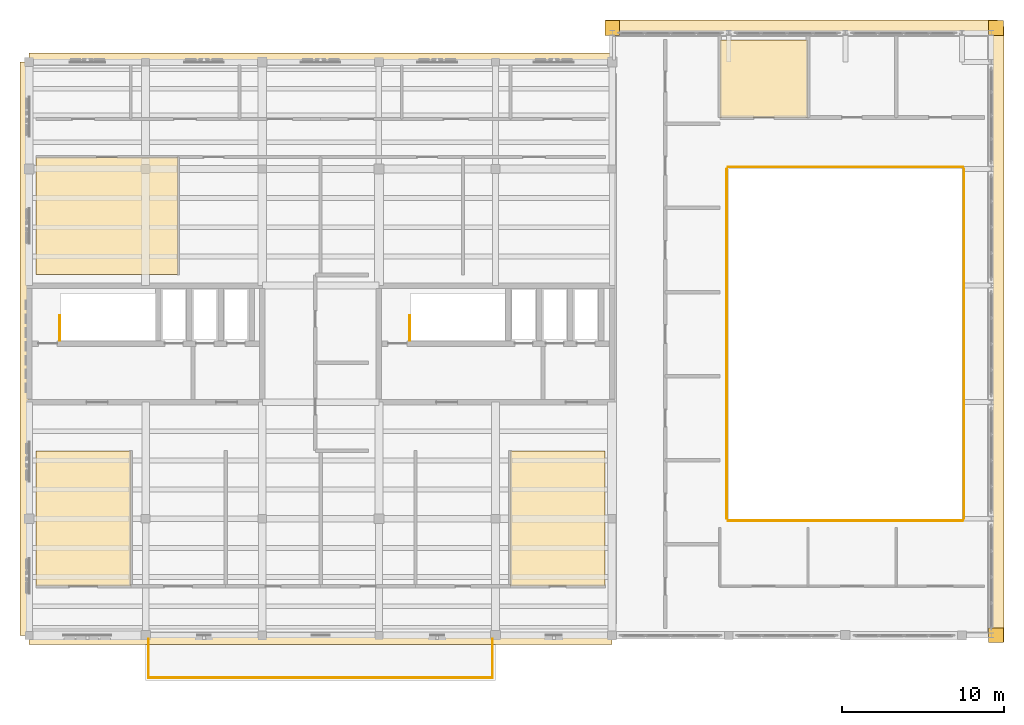
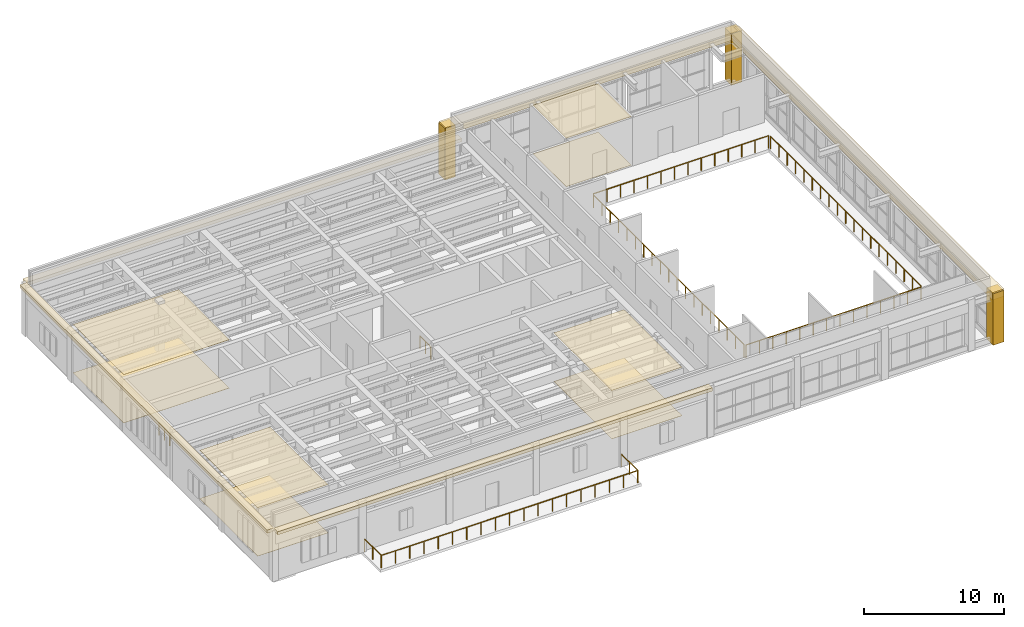
# One storey, part 18 of 18: 16 coverings, 9 railings.
"""IFC4 building model written with IfcOpenShell, lengths in metres."""

from ifc_helpers import new_model, si_unit, direction, frame, origin, origin_2d, place, context, subcontext, project, spatial, polyline, rectangle, circle, outline, extrude, material, layer, layer_set, type_object, element, save


model = new_model("IFC4")

# Units and contexts
model_context = context("Model", 3, precision=1e-05, world=origin(), true_north=direction((0.0, 1.0)))
body_context = subcontext(model_context, "Body", "Model", "MODEL_VIEW")
ifc_project = project(units=[si_unit("LENGTHUNIT", "METRE"), si_unit("AREAUNIT", "SQUARE_METRE"), si_unit("VOLUMEUNIT", "CUBIC_METRE"), si_unit("PLANEANGLEUNIT", "RADIAN"), si_unit("MASSUNIT", "GRAM", prefix="KILO")], contexts=[model_context])

# Site, building, storey
site_placement = place(None, origin())
site = spatial("IfcSite", under=ifc_project, at=site_placement, CompositionType="ELEMENT")
building_placement = place(site_placement, origin())
building = spatial("IfcBuilding", under=site, at=building_placement, Name="Mithqara Police Headquarters", CompositionType="ELEMENT")
storey_placement = place(building_placement, frame((0.0, 0.0, 30.89990234375)))
storey = spatial("IfcBuildingStorey", under=building, at=storey_placement, Name="L07", CompositionType="ELEMENT", Elevation=30.89990234375)

# Coverings
ifc_material_1 = material(Name="Acoustic mineral-fibre ceiling tile", Category="gypsum")
ifc_layer_1 = layer(ifc_material_1, 0.02490234375, Name="Acoustic mineral-fibre ceiling tile")
ifc_layer_set_1 = layer_set([ifc_layer_1], Name="Acoustic mineral-fibre ceiling tile")
covering_type_1 = type_object("IfcCoveringType", Name="ACOUSTIC CEILING TILE", PredefinedType="CEILING", material=ifc_layer_set_1)
covering_1_placement = place(storey_placement, frame((0.0, 0.0, 4.22509765625)))
element("IfcCovering", 1, at=covering_1_placement, inside=storey, type_object=covering_type_1, Name="Interagency Situation Room Acoustic Ceiling", PredefinedType="CEILING", context=body_context, shape_type="SweptSolid", body=[
    extrude(outline(polyline([(109.0400390625, 100.8701171875), (117.7900390625, 100.8701171875), (117.7900390625, 108.1201171875), (109.0400390625, 108.1201171875), (109.0400390625, 100.8701171875)])), origin(), (0.0, 0.0, 1.0), 0.02490234375),
])
covering_2_placement = place(storey_placement, frame((0.0, 0.0, 4.22509765625)))
element("IfcCovering", 2, at=covering_2_placement, inside=storey, type_object=covering_type_1, Name="Interagency Situation Room Acoustic Ceiling", PredefinedType="CEILING", context=body_context, shape_type="SweptSolid", body=[
    extrude(outline(polyline([(109.0400390625, 81.659912109375), (114.860107421875, 81.659912109375), (114.860107421875, 89.97998046875), (109.0400390625, 89.97998046875), (109.0400390625, 81.659912109375)])), origin(), (0.0, 0.0, 1.0), 0.02490234375),
])
covering_3_placement = place(storey_placement, frame((0.0, 0.0, 4.22509765625)))
element("IfcCovering", 3, at=covering_3_placement, inside=storey, type_object=covering_type_1, Name="Interagency Situation Room Acoustic Ceiling", PredefinedType="CEILING", context=body_context, shape_type="SweptSolid", body=[
    extrude(outline(polyline([(138.340087890625, 81.659912109375), (144.159912109375, 81.659912109375), (144.159912109375, 89.97998046875), (138.340087890625, 89.97998046875), (138.340087890625, 81.659912109375)])), origin(), (0.0, 0.0, 1.0), 0.02490234375),
])
covering_4_placement = place(storey_placement, frame((0.0, 0.0, 4.22509765625)))
element("IfcCovering", 4, at=covering_4_placement, inside=storey, type_object=covering_type_1, Name="Command Viewing Gallery Acoustic Ceiling", PredefinedType="CEILING", context=body_context, shape_type="SweptSolid", body=[
    extrude(outline(polyline([(151.27001953125, 110.590087890625), (156.673095703125, 110.590087890625), (156.673095703125, 115.360107421875), (151.27001953125, 115.360107421875), (151.27001953125, 110.590087890625)])), origin(), (0.0, 0.0, 1.0), 0.02490234375),
])
ifc_material_2 = material(Name="Limestone ashlar masonry, 45 MPa", Category="masonry")
ifc_layer_2 = layer(ifc_material_2, 0.320068359375, Name="Limestone ashlar masonry, 45 MPa")
ifc_layer_set_2 = layer_set([ifc_layer_2], Name="Limestone ashlar masonry, 45 MPa")
covering_type_2 = type_object("IfcCoveringType", Name="CORNICE LIMESTONE", PredefinedType="CLADDING", material=ifc_layer_set_2)
covering_5_placement = place(storey_placement, frame((168.320068359375, 97.199951171875, 3.925048828125), z_axis=(0.0, 0.0, 1.0), x_axis=(1.0, 0.0, 0.0)))
element("IfcCovering", 5, at=covering_5_placement, inside=storey, type_object=covering_type_2, Name="Command Cube Deep Box Frame East TOP", PredefinedType="CLADDING", context=body_context, shape_type="SweptSolid", body=[
    extrude(rectangle(XDim=0.949951171875, YDim=38.0, at=origin_2d()), origin(), (0.0, 0.0, 1.0), 0.64990234375),
])
covering_6_placement = place(storey_placement, frame((156.300048828125, 116.1201171875, 3.925048828125), z_axis=(0.0, 0.0, 1.0), x_axis=(1.0, 0.0, 0.0)))
element("IfcCovering", 6, at=covering_6_placement, inside=storey, type_object=covering_type_2, Name="Command Cube Deep Box Frame North TOP", PredefinedType="CLADDING", context=body_context, shape_type="SweptSolid", body=[
    extrude(rectangle(XDim=24.199951171875, YDim=0.949951171875, at=origin_2d()), origin(), (0.0, 0.0, 1.0), 0.64990234375),
])
for number, where, z_axis, x_axis, name in (
    (7, (168.300048828125, 78.60009765625, 0.0), (0.0, 0.0, 1.0), (1.0, 0.0, 0.0), "L07 Command Cube Deep Corner Frame SE"),
    (8, (168.300048828125, 116.10009765625, 0.0), (0.0, 0.0, 1.0), (1.0, 0.0, 0.0), "L07 Command Cube Deep Corner Frame NE"),
    (9, (144.60009765625, 116.10009765625, 0.0), (0.0, 0.0, 1.0), (1.0, 0.0, 0.0), "L07 Command Cube Deep Corner Frame NW"),
):
    element("IfcCovering", number, at=place(storey_placement, frame(where, z_axis=z_axis, x_axis=x_axis)), inside=storey, type_object=covering_type_2, Name=name, PredefinedType="CLADDING", context=body_context, shape_type="SweptSolid", body=[
        extrude(rectangle(XDim=0.89990234375, YDim=0.89990234375, at=origin_2d()), origin(), (0.0, 0.0, 1.0), 4.5),
    ])
for number, where, z_axis, x_axis, name in (
    (10, (126.60009765625, 78.320068359375, 4.22021484375), (0.0, 0.0, 1.0), (1.0, 0.0, 0.0), "L07 Projecting Ottoman Limestone Eaves Cornice 1"),
    (11, (126.60009765625, 114.280029296875, 4.22021484375), (0.0, 0.0, 1.0), (1.0, 0.0, 0.0), "L07 Projecting Ottoman Limestone Eaves Cornice 2"),
):
    element("IfcCovering", number, at=place(storey_placement, frame(where, z_axis=z_axis, x_axis=x_axis)), inside=storey, type_object=covering_type_2, Name=name, PredefinedType="CLADDING", context=body_context, shape_type="SweptSolid", body=[
        extrude(rectangle(XDim=36.0, YDim=0.56005859375, at=origin_2d()), origin(), (0.0, 0.0, 1.0), 0.280029296875),
    ])
covering_7_placement = place(storey_placement, frame((108.320068359375, 96.300048828125, 4.22021484375), z_axis=(0.0, 0.0, 1.0), x_axis=(0.0, 1.0, 0.0)))
element("IfcCovering", 12, at=covering_7_placement, inside=storey, type_object=covering_type_2, Name="L07 Projecting Ottoman Limestone Eaves Cornice 3", PredefinedType="CLADDING", context=body_context, shape_type="SweptSolid", body=[
    extrude(rectangle(XDim=35.39990234375, YDim=0.56005859375, at=origin_2d()), origin(), (0.0, 0.0, 1.0), 0.280029296875),
])

# Railings
ifc_material_3 = material(Name="Bronze anodised aluminium 6063-T6", Category="aluminium")
railing_type_1 = type_object("IfcRailingType", Name="GUARD BALUSTRADE1120", PredefinedType="BALUSTRADE", material=ifc_material_3)
railing_1_placement = place(storey_placement, frame((115.97998046875, 75.97998046875, 0.0)))
element("IfcRailing", 13, at=railing_1_placement, inside=storey, type_object=railing_type_1, Name="L07 Terrace Balustrade TER-L07-S-S", PredefinedType="BALUSTRADE", context=body_context, shape_type="SweptSolid", body=[
    extrude(circle(Radius=0.02392578125, at=origin_2d()), frame((0.0, 0.0, 1.09619140625), z_axis=(1.0, 0.0, 0.0), x_axis=(0.0, 1.0, 0.0)), (0.0, 0.0, 1.0), 21.239990234375),
    extrude(circle(Radius=0.02099609375, at=origin_2d()), origin(), (0.0, 0.0, 1.0), 1.072021484375),
    extrude(circle(Radius=0.02099609375, at=origin_2d()), frame((1.179931640625, 0.0, 0.0)), (0.0, 0.0, 1.0), 1.072021484375),
    extrude(circle(Radius=0.02099609375, at=origin_2d()), frame((2.360107421875, 0.0, 0.0)), (0.0, 0.0, 1.0), 1.072021484375),
    extrude(circle(Radius=0.02099609375, at=origin_2d()), frame((3.5400390625, 0.0, 0.0)), (0.0, 0.0, 1.0), 1.072021484375),
    extrude(circle(Radius=0.02099609375, at=origin_2d()), frame((4.719970703125, 0.0, 0.0)), (0.0, 0.0, 1.0), 1.072021484375),
    extrude(circle(Radius=0.02099609375, at=origin_2d()), frame((5.89990234375, 0.0, 0.0)), (0.0, 0.0, 1.0), 1.072021484375),
    extrude(circle(Radius=0.02099609375, at=origin_2d()), frame((7.080078125, 0.0, 0.0)), (0.0, 0.0, 1.0), 1.072021484375),
    extrude(circle(Radius=0.02099609375, at=origin_2d()), frame((8.260009765625, 0.0, 0.0)), (0.0, 0.0, 1.0), 1.072021484375),
    extrude(circle(Radius=0.02099609375, at=origin_2d()), frame((9.43994140625, 0.0, 0.0)), (0.0, 0.0, 1.0), 1.072021484375),
    extrude(circle(Radius=0.02099609375, at=origin_2d()), frame((10.6201171875, 0.0, 0.0)), (0.0, 0.0, 1.0), 1.072021484375),
    extrude(circle(Radius=0.02099609375, at=origin_2d()), frame((11.800048828125, 0.0, 0.0)), (0.0, 0.0, 1.0), 1.072021484375),
    extrude(circle(Radius=0.02099609375, at=origin_2d()), frame((12.97998046875, 0.0, 0.0)), (0.0, 0.0, 1.0), 1.072021484375),
    extrude(circle(Radius=0.02099609375, at=origin_2d()), frame((14.159912109375, 0.0, 0.0)), (0.0, 0.0, 1.0), 1.072021484375),
    extrude(circle(Radius=0.02099609375, at=origin_2d()), frame((15.340087890625, 0.0, 0.0)), (0.0, 0.0, 1.0), 1.072021484375),
    extrude(circle(Radius=0.02099609375, at=origin_2d()), frame((16.52001953125, 0.0, 0.0)), (0.0, 0.0, 1.0), 1.072021484375),
    extrude(circle(Radius=0.02099609375, at=origin_2d()), frame((17.699951171875, 0.0, 0.0)), (0.0, 0.0, 1.0), 1.072021484375),
    extrude(circle(Radius=0.02099609375, at=origin_2d()), frame((18.8798828125, 0.0, 0.0)), (0.0, 0.0, 1.0), 1.072021484375),
    extrude(circle(Radius=0.02099609375, at=origin_2d()), frame((20.06005859375, 0.0, 0.0)), (0.0, 0.0, 1.0), 1.072021484375),
    extrude(circle(Radius=0.02099609375, at=origin_2d()), frame((21.239990234375, 0.0, 0.0)), (0.0, 0.0, 1.0), 1.072021484375),
])
for number, where, name in (
    (14, (115.97998046875, 76.0400390625, 0.0), "L07 Terrace Balustrade TER-L07-S-W"),
    (15, (137.219970703125, 76.0400390625, 0.0), "L07 Terrace Balustrade TER-L07-S-E"),
):
    element("IfcRailing", number, at=place(storey_placement, frame(where)), inside=storey, type_object=railing_type_1, Name=name, PredefinedType="BALUSTRADE", context=body_context, shape_type="SweptSolid", body=[
        extrude(circle(Radius=0.02392578125, at=origin_2d()), frame((0.0, 0.0, 1.09619140625), z_axis=(0.0, 1.0, 0.0), x_axis=(-1.0, 0.0, 0.0)), (0.0, 0.0, 1.0), 2.320068359375),
        extrude(circle(Radius=0.02099609375, at=origin_2d()), origin(), (0.0, 0.0, 1.0), 1.072021484375),
        extrude(circle(Radius=0.02099609375, at=origin_2d()), frame((0.0, 1.16015625, 0.0)), (0.0, 0.0, 1.0), 1.072021484375),
        extrude(circle(Radius=0.02099609375, at=origin_2d()), frame((0.0, 2.320068359375, 0.0)), (0.0, 0.0, 1.0), 1.072021484375),
    ])
railing_2_placement = place(storey_placement, frame((151.75, 85.679931640625, 0.0)))
element("IfcRailing", 16, at=railing_2_placement, inside=storey, type_object=railing_type_1, Name="L07 Gallery Void Balustrade VOID-L07-CMD-S", PredefinedType="BALUSTRADE", context=body_context, shape_type="SweptSolid", body=[
    extrude(circle(Radius=0.02392578125, at=origin_2d()), frame((0.0, 0.0, 1.09619140625), z_axis=(1.0, 0.0, 0.0), x_axis=(0.0, 1.0, 0.0)), (0.0, 0.0, 1.0), 14.5),
    extrude(circle(Radius=0.02099609375, at=origin_2d()), origin(), (0.0, 0.0, 1.0), 1.072021484375),
    extrude(circle(Radius=0.02099609375, at=origin_2d()), frame((1.115478515625, 0.0, 0.0)), (0.0, 0.0, 1.0), 1.072021484375),
    extrude(circle(Radius=0.02099609375, at=origin_2d()), frame((2.230712890625, 0.0, 0.0)), (0.0, 0.0, 1.0), 1.072021484375),
    extrude(circle(Radius=0.02099609375, at=origin_2d()), frame((3.34619140625, 0.0, 0.0)), (0.0, 0.0, 1.0), 1.072021484375),
    extrude(circle(Radius=0.02099609375, at=origin_2d()), frame((4.46142578125, 0.0, 0.0)), (0.0, 0.0, 1.0), 1.072021484375),
    extrude(circle(Radius=0.02099609375, at=origin_2d()), frame((5.576904296875, 0.0, 0.0)), (0.0, 0.0, 1.0), 1.072021484375),
    extrude(circle(Radius=0.02099609375, at=origin_2d()), frame((6.6923828125, 0.0, 0.0)), (0.0, 0.0, 1.0), 1.072021484375),
    extrude(circle(Radius=0.02099609375, at=origin_2d()), frame((7.8076171875, 0.0, 0.0)), (0.0, 0.0, 1.0), 1.072021484375),
    extrude(circle(Radius=0.02099609375, at=origin_2d()), frame((8.923095703125, 0.0, 0.0)), (0.0, 0.0, 1.0), 1.072021484375),
    extrude(circle(Radius=0.02099609375, at=origin_2d()), frame((10.03857421875, 0.0, 0.0)), (0.0, 0.0, 1.0), 1.072021484375),
    extrude(circle(Radius=0.02099609375, at=origin_2d()), frame((11.15380859375, 0.0, 0.0)), (0.0, 0.0, 1.0), 1.072021484375),
    extrude(circle(Radius=0.02099609375, at=origin_2d()), frame((12.269287109375, 0.0, 0.0)), (0.0, 0.0, 1.0), 1.072021484375),
    extrude(circle(Radius=0.02099609375, at=origin_2d()), frame((13.384521484375, 0.0, 0.0)), (0.0, 0.0, 1.0), 1.072021484375),
    extrude(circle(Radius=0.02099609375, at=origin_2d()), frame((14.5, 0.0, 0.0)), (0.0, 0.0, 1.0), 1.072021484375),
])
railing_3_placement = place(storey_placement, frame((151.75, 107.52001953125, 0.0)))
element("IfcRailing", 17, at=railing_3_placement, inside=storey, type_object=railing_type_1, Name="L07 Gallery Void Balustrade VOID-L07-CMD-N", PredefinedType="BALUSTRADE", context=body_context, shape_type="SweptSolid", body=[
    extrude(circle(Radius=0.02392578125, at=origin_2d()), frame((0.0, 0.0, 1.09619140625), z_axis=(1.0, 0.0, 0.0), x_axis=(0.0, 1.0, 0.0)), (0.0, 0.0, 1.0), 14.5),
    extrude(circle(Radius=0.02099609375, at=origin_2d()), origin(), (0.0, 0.0, 1.0), 1.072021484375),
    extrude(circle(Radius=0.02099609375, at=origin_2d()), frame((1.115478515625, 0.0, 0.0)), (0.0, 0.0, 1.0), 1.072021484375),
    extrude(circle(Radius=0.02099609375, at=origin_2d()), frame((2.230712890625, 0.0, 0.0)), (0.0, 0.0, 1.0), 1.072021484375),
    extrude(circle(Radius=0.02099609375, at=origin_2d()), frame((3.34619140625, 0.0, 0.0)), (0.0, 0.0, 1.0), 1.072021484375),
    extrude(circle(Radius=0.02099609375, at=origin_2d()), frame((4.46142578125, 0.0, 0.0)), (0.0, 0.0, 1.0), 1.072021484375),
    extrude(circle(Radius=0.02099609375, at=origin_2d()), frame((5.576904296875, 0.0, 0.0)), (0.0, 0.0, 1.0), 1.072021484375),
    extrude(circle(Radius=0.02099609375, at=origin_2d()), frame((6.6923828125, 0.0, 0.0)), (0.0, 0.0, 1.0), 1.072021484375),
    extrude(circle(Radius=0.02099609375, at=origin_2d()), frame((7.8076171875, 0.0, 0.0)), (0.0, 0.0, 1.0), 1.072021484375),
    extrude(circle(Radius=0.02099609375, at=origin_2d()), frame((8.923095703125, 0.0, 0.0)), (0.0, 0.0, 1.0), 1.072021484375),
    extrude(circle(Radius=0.02099609375, at=origin_2d()), frame((10.03857421875, 0.0, 0.0)), (0.0, 0.0, 1.0), 1.072021484375),
    extrude(circle(Radius=0.02099609375, at=origin_2d()), frame((11.15380859375, 0.0, 0.0)), (0.0, 0.0, 1.0), 1.072021484375),
    extrude(circle(Radius=0.02099609375, at=origin_2d()), frame((12.269287109375, 0.0, 0.0)), (0.0, 0.0, 1.0), 1.072021484375),
    extrude(circle(Radius=0.02099609375, at=origin_2d()), frame((13.384521484375, 0.0, 0.0)), (0.0, 0.0, 1.0), 1.072021484375),
    extrude(circle(Radius=0.02099609375, at=origin_2d()), frame((14.5, 0.0, 0.0)), (0.0, 0.0, 1.0), 1.072021484375),
])
railing_4_placement = place(storey_placement, frame((151.679931640625, 85.820068359375, 0.0)))
element("IfcRailing", 18, at=railing_4_placement, inside=storey, type_object=railing_type_1, Name="L07 Gallery Void Balustrade VOID-L07-CMD-W", PredefinedType="BALUSTRADE", context=body_context, shape_type="SweptSolid", body=[
    extrude(circle(Radius=0.02392578125, at=origin_2d()), frame((0.0, 0.0, 1.09619140625), z_axis=(0.0, 1.0, 0.0), x_axis=(-1.0, 0.0, 0.0)), (0.0, 0.0, 1.0), 21.559814453125),
    extrude(circle(Radius=0.02099609375, at=origin_2d()), origin(), (0.0, 0.0, 1.0), 1.072021484375),
    extrude(circle(Radius=0.02099609375, at=origin_2d()), frame((0.0, 1.19775390625, 0.0)), (0.0, 0.0, 1.0), 1.072021484375),
    extrude(circle(Radius=0.02099609375, at=origin_2d()), frame((0.0, 2.3955078125, 0.0)), (0.0, 0.0, 1.0), 1.072021484375),
    extrude(circle(Radius=0.02099609375, at=origin_2d()), frame((0.0, 3.59326171875, 0.0)), (0.0, 0.0, 1.0), 1.072021484375),
    extrude(circle(Radius=0.02099609375, at=origin_2d()), frame((0.0, 4.791015625, 0.0)), (0.0, 0.0, 1.0), 1.072021484375),
    extrude(circle(Radius=0.02099609375, at=origin_2d()), frame((0.0, 5.98876953125, 0.0)), (0.0, 0.0, 1.0), 1.072021484375),
    extrude(circle(Radius=0.02099609375, at=origin_2d()), frame((0.0, 7.1865234375, 0.0)), (0.0, 0.0, 1.0), 1.072021484375),
    extrude(circle(Radius=0.02099609375, at=origin_2d()), frame((0.0, 8.38427734375, 0.0)), (0.0, 0.0, 1.0), 1.072021484375),
    extrude(circle(Radius=0.02099609375, at=origin_2d()), frame((0.0, 9.58203125, 0.0)), (0.0, 0.0, 1.0), 1.072021484375),
    extrude(circle(Radius=0.02099609375, at=origin_2d()), frame((0.0, 10.77978515625, 0.0)), (0.0, 0.0, 1.0), 1.072021484375),
    extrude(circle(Radius=0.02099609375, at=origin_2d()), frame((0.0, 11.977783203125, 0.0)), (0.0, 0.0, 1.0), 1.072021484375),
    extrude(circle(Radius=0.02099609375, at=origin_2d()), frame((0.0, 13.175537109375, 0.0)), (0.0, 0.0, 1.0), 1.072021484375),
    extrude(circle(Radius=0.02099609375, at=origin_2d()), frame((0.0, 14.373291015625, 0.0)), (0.0, 0.0, 1.0), 1.072021484375),
    extrude(circle(Radius=0.02099609375, at=origin_2d()), frame((0.0, 15.571044921875, 0.0)), (0.0, 0.0, 1.0), 1.072021484375),
    extrude(circle(Radius=0.02099609375, at=origin_2d()), frame((0.0, 16.768798828125, 0.0)), (0.0, 0.0, 1.0), 1.072021484375),
    extrude(circle(Radius=0.02099609375, at=origin_2d()), frame((0.0, 17.966552734375, 0.0)), (0.0, 0.0, 1.0), 1.072021484375),
    extrude(circle(Radius=0.02099609375, at=origin_2d()), frame((0.0, 19.164306640625, 0.0)), (0.0, 0.0, 1.0), 1.072021484375),
    extrude(circle(Radius=0.02099609375, at=origin_2d()), frame((0.0, 20.362060546875, 0.0)), (0.0, 0.0, 1.0), 1.072021484375),
    extrude(circle(Radius=0.02099609375, at=origin_2d()), frame((0.0, 21.559814453125, 0.0)), (0.0, 0.0, 1.0), 1.072021484375),
])
railing_5_placement = place(storey_placement, frame((166.320068359375, 85.820068359375, 0.0)))
element("IfcRailing", 19, at=railing_5_placement, inside=storey, type_object=railing_type_1, Name="L07 Gallery Void Balustrade VOID-L07-CMD-E", PredefinedType="BALUSTRADE", context=body_context, shape_type="SweptSolid", body=[
    extrude(circle(Radius=0.02392578125, at=origin_2d()), frame((0.0, 0.0, 1.09619140625), z_axis=(0.0, 1.0, 0.0), x_axis=(-1.0, 0.0, 0.0)), (0.0, 0.0, 1.0), 21.559814453125),
    extrude(circle(Radius=0.02099609375, at=origin_2d()), origin(), (0.0, 0.0, 1.0), 1.072021484375),
    extrude(circle(Radius=0.02099609375, at=origin_2d()), frame((0.0, 1.19775390625, 0.0)), (0.0, 0.0, 1.0), 1.072021484375),
    extrude(circle(Radius=0.02099609375, at=origin_2d()), frame((0.0, 2.3955078125, 0.0)), (0.0, 0.0, 1.0), 1.072021484375),
    extrude(circle(Radius=0.02099609375, at=origin_2d()), frame((0.0, 3.59326171875, 0.0)), (0.0, 0.0, 1.0), 1.072021484375),
    extrude(circle(Radius=0.02099609375, at=origin_2d()), frame((0.0, 4.791015625, 0.0)), (0.0, 0.0, 1.0), 1.072021484375),
    extrude(circle(Radius=0.02099609375, at=origin_2d()), frame((0.0, 5.98876953125, 0.0)), (0.0, 0.0, 1.0), 1.072021484375),
    extrude(circle(Radius=0.02099609375, at=origin_2d()), frame((0.0, 7.1865234375, 0.0)), (0.0, 0.0, 1.0), 1.072021484375),
    extrude(circle(Radius=0.02099609375, at=origin_2d()), frame((0.0, 8.38427734375, 0.0)), (0.0, 0.0, 1.0), 1.072021484375),
    extrude(circle(Radius=0.02099609375, at=origin_2d()), frame((0.0, 9.58203125, 0.0)), (0.0, 0.0, 1.0), 1.072021484375),
    extrude(circle(Radius=0.02099609375, at=origin_2d()), frame((0.0, 10.77978515625, 0.0)), (0.0, 0.0, 1.0), 1.072021484375),
    extrude(circle(Radius=0.02099609375, at=origin_2d()), frame((0.0, 11.977783203125, 0.0)), (0.0, 0.0, 1.0), 1.072021484375),
    extrude(circle(Radius=0.02099609375, at=origin_2d()), frame((0.0, 13.175537109375, 0.0)), (0.0, 0.0, 1.0), 1.072021484375),
    extrude(circle(Radius=0.02099609375, at=origin_2d()), frame((0.0, 14.373291015625, 0.0)), (0.0, 0.0, 1.0), 1.072021484375),
    extrude(circle(Radius=0.02099609375, at=origin_2d()), frame((0.0, 15.571044921875, 0.0)), (0.0, 0.0, 1.0), 1.072021484375),
    extrude(circle(Radius=0.02099609375, at=origin_2d()), frame((0.0, 16.768798828125, 0.0)), (0.0, 0.0, 1.0), 1.072021484375),
    extrude(circle(Radius=0.02099609375, at=origin_2d()), frame((0.0, 17.966552734375, 0.0)), (0.0, 0.0, 1.0), 1.072021484375),
    extrude(circle(Radius=0.02099609375, at=origin_2d()), frame((0.0, 19.164306640625, 0.0)), (0.0, 0.0, 1.0), 1.072021484375),
    extrude(circle(Radius=0.02099609375, at=origin_2d()), frame((0.0, 20.362060546875, 0.0)), (0.0, 0.0, 1.0), 1.072021484375),
    extrude(circle(Radius=0.02099609375, at=origin_2d()), frame((0.0, 21.559814453125, 0.0)), (0.0, 0.0, 1.0), 1.072021484375),
])
ifc_material_4 = material(Name="Steel S355JR", Category="steel")
railing_type_2 = type_object("IfcRailingType", Name="STAIR GUARD 1120", PredefinedType="GUARDRAIL", material=ifc_material_4)
for number, where, name in (
    (20, (110.5, 96.800048828125, 0.0), "L07 ST-01 top well guard 1"),
    (21, (132.10009765625, 96.800048828125, 0.0), "L07 ST-02 top well guard 1"),
):
    element("IfcRailing", number, at=place(storey_placement, frame(where)), inside=storey, type_object=railing_type_2, Name=name, PredefinedType="GUARDRAIL", context=body_context, shape_type="SweptSolid", body=[
        extrude(circle(Radius=0.02392578125, at=origin_2d()), frame((0.0, 0.0, 1.076171875), z_axis=(0.0, 1.0, 0.0), x_axis=(-1.0, 0.0, 0.0)), (0.0, 0.0, 1.0), 1.550048828125),
        extrude(circle(Radius=0.02099609375, at=origin_2d()), origin(), (0.0, 0.0, 1.0), 1.052001953125),
        extrude(circle(Radius=0.02099609375, at=origin_2d()), frame((0.0, 0.77490234375, 0.0)), (0.0, 0.0, 1.0), 1.052001953125),
        extrude(circle(Radius=0.02099609375, at=origin_2d()), frame((0.0, 1.550048828125, 0.0)), (0.0, 0.0, 1.0), 1.052001953125),
    ])

# Coverings
ifc_material_5 = material(Name="Polished limestone terrazzo flooring", Category="masonry")
ifc_layer_3 = layer(ifc_material_5, 0.02001953125, Name="Polished limestone terrazzo flooring")
ifc_layer_set_3 = layer_set([ifc_layer_3], Name="Polished limestone terrazzo flooring")
covering_type_3 = type_object("IfcCoveringType", Name="TERRAZZO FLOOR FINISH", PredefinedType="FLOORING", material=ifc_layer_set_3)
covering_8_placement = place(storey_placement, origin())
element("IfcCovering", 22, at=covering_8_placement, inside=storey, type_object=covering_type_3, Name="Interagency Situation Room Terrazzo Floor Finish", PredefinedType="FLOORING", context=body_context, shape_type="SweptSolid", body=[
    extrude(outline(polyline([(109.0400390625, 100.8701171875), (117.7900390625, 100.8701171875), (117.7900390625, 108.1201171875), (109.0400390625, 108.1201171875), (109.0400390625, 100.8701171875)])), origin(), (0.0, 0.0, 1.0), 0.02001953125),
])
covering_9_placement = place(storey_placement, origin())
element("IfcCovering", 23, at=covering_9_placement, inside=storey, type_object=covering_type_3, Name="Interagency Situation Room Terrazzo Floor Finish", PredefinedType="FLOORING", context=body_context, shape_type="SweptSolid", body=[
    extrude(outline(polyline([(109.0400390625, 81.659912109375), (114.860107421875, 81.659912109375), (114.860107421875, 89.97998046875), (109.0400390625, 89.97998046875), (109.0400390625, 81.659912109375)])), origin(), (0.0, 0.0, 1.0), 0.02001953125),
])
covering_10_placement = place(storey_placement, origin())
element("IfcCovering", 24, at=covering_10_placement, inside=storey, type_object=covering_type_3, Name="Interagency Situation Room Terrazzo Floor Finish", PredefinedType="FLOORING", context=body_context, shape_type="SweptSolid", body=[
    extrude(outline(polyline([(138.340087890625, 81.659912109375), (144.159912109375, 81.659912109375), (144.159912109375, 89.97998046875), (138.340087890625, 89.97998046875), (138.340087890625, 81.659912109375)])), origin(), (0.0, 0.0, 1.0), 0.02001953125),
])
covering_11_placement = place(storey_placement, origin())
element("IfcCovering", 25, at=covering_11_placement, inside=storey, type_object=covering_type_3, Name="Command Viewing Gallery Terrazzo Floor Finish", PredefinedType="FLOORING", context=body_context, shape_type="SweptSolid", body=[
    extrude(outline(polyline([(151.27001953125, 110.590087890625), (156.673095703125, 110.590087890625), (156.673095703125, 115.360107421875), (151.27001953125, 115.360107421875), (151.27001953125, 110.590087890625)])), origin(), (0.0, 0.0, 1.0), 0.02001953125),
])

save(model, "model.ifc")
